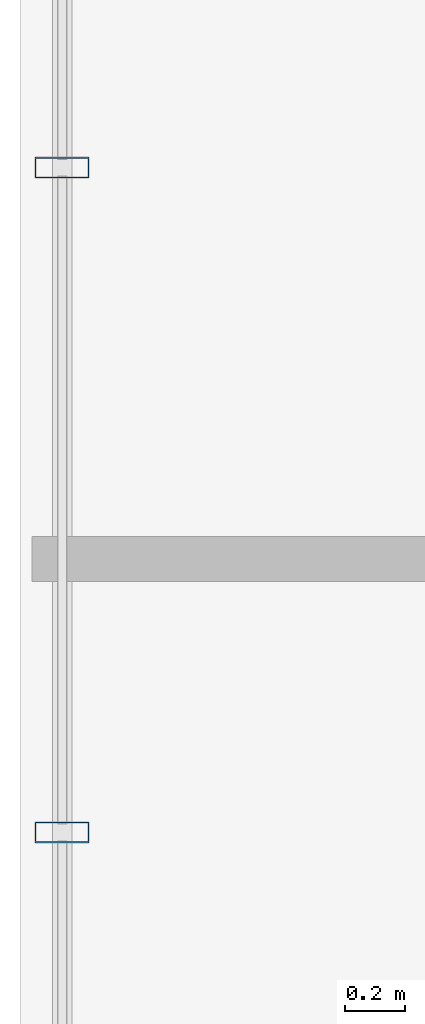
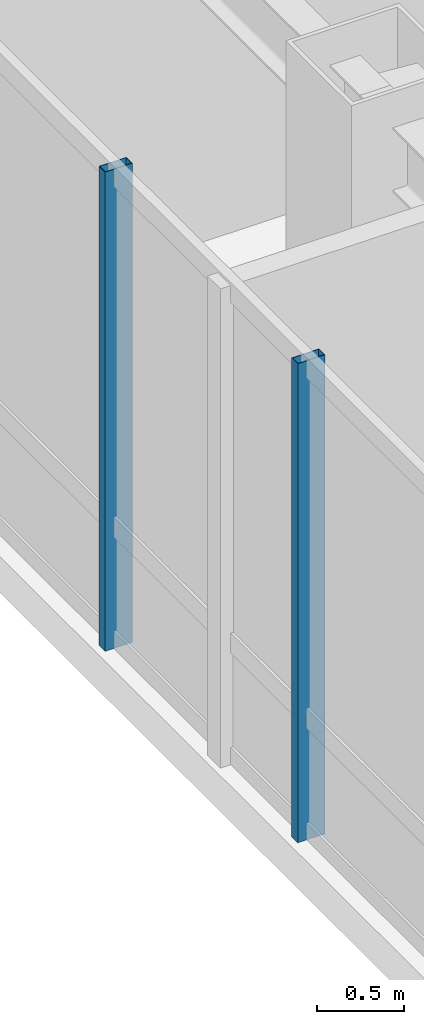
# One storey, part 6 of 27: 2 members, 1 element without a shape of its own.
"""IFC4 building model written with IfcOpenShell, lengths in metres."""

from ifc_helpers import new_model, si_unit, direction, frame, origin, origin_2d, place, context, subcontext, project, spatial, hollow_rectangle, extrude, material, layer, layer_set, material_profile, profile_set, type_object, element, aggregate, save


model = new_model("IFC4")

# Units and contexts
model_context = context("Model", 3, precision=1e-05, world=origin(), true_north=direction((0.0, 1.0)))
body_context = subcontext(model_context, "Body", "Model", "MODEL_VIEW")
ifc_project = project(units=[si_unit("LENGTHUNIT", "METRE"), si_unit("AREAUNIT", "SQUARE_METRE"), si_unit("VOLUMEUNIT", "CUBIC_METRE"), si_unit("PLANEANGLEUNIT", "RADIAN"), si_unit("MASSUNIT", "GRAM", prefix="KILO")], contexts=[model_context])

# Site, building, storey
site_placement = place(None, origin())
site = spatial("IfcSite", under=ifc_project, at=site_placement, CompositionType="ELEMENT")
building_placement = place(site_placement, origin())
building = spatial("IfcBuilding", under=site, at=building_placement, Name="Hatsunagi Terrace Concourse", CompositionType="ELEMENT")
storey_placement = place(building_placement, frame((0.0, 0.0, 167.25)))
storey = spatial("IfcBuildingStorey", under=building, at=storey_placement, Name="L44", CompositionType="ELEMENT", Elevation=167.25)

# Curtain wall, members
ifc_material_1 = material(Name="Anodised Aluminium Alloy 6063-T5", Category="aluminium")
ifc_layer = layer(ifc_material_1, 0.199951171875)
ifc_layer_set = layer_set([ifc_layer], Name="OfficeZone1_CW03")
curtain_wall_type = type_object("IfcCurtainWallType", Name="OfficeZone1_CW03", PredefinedType="NOTDEFINED", material=ifc_layer_set)
curtain_wall_placement = place(storey_placement, origin())
curtain_wall = element("IfcCurtainWall", 1, at=curtain_wall_placement, inside=storey, type_object=curtain_wall_type, Name="Unitised Curtain Wall CW-03 CW-L44-09", PredefinedType="NOTDEFINED")
ifc_material_2 = material(Name="Anodised Aluminium Alloy 6063-T5", Category="aluminium")
ifc_material_profile = material_profile(ifc_material_2, hollow_rectangle(XDim=0.070068359375, YDim=0.179931640625, WallThickness=0.00390625, at=origin_2d()), Name="ALU-MUL-180x70x4")
ifc_profile_set = profile_set([ifc_material_profile], Name="Anodised Aluminium Alloy 6063-T5")
member_type = type_object("IfcMemberType", Name="CurtainWallMullion_180x70", PredefinedType="MULLION", material=ifc_profile_set)
member_1_placement = place(storey_placement, frame((9.739990234375, 34.69189453125, 0.0), z_axis=(0.0, 0.0, 1.0), x_axis=(0.0, 1.0, 0.0)))
member_1 = element("IfcMember", 2, at=member_1_placement, type_object=member_type, Name="Curtain Wall Mullion MUL-02", PredefinedType="MULLION", context=body_context, shape_type="SweptSolid", body=[
    extrude(hollow_rectangle(XDim=0.070068359375, YDim=0.179931640625, WallThickness=0.00390625, at=origin_2d()), origin(), (0.0, 0.0, 1.0), 3.35009765625),
])
member_2_placement = place(storey_placement, frame((9.739990234375, 36.89990234375, 0.0), z_axis=(0.0, 0.0, 1.0), x_axis=(0.0, 1.0, 0.0)))
member_2 = element("IfcMember", 3, at=member_2_placement, type_object=member_type, Name="Curtain Wall Mullion MUL-02", PredefinedType="MULLION", context=body_context, shape_type="SweptSolid", body=[
    extrude(hollow_rectangle(XDim=0.070068359375, YDim=0.179931640625, WallThickness=0.00390625, at=origin_2d()), origin(), (0.0, 0.0, 1.0), 3.35009765625),
])
aggregate(curtain_wall, [member_1, member_2])

save(model, "model.ifc")
